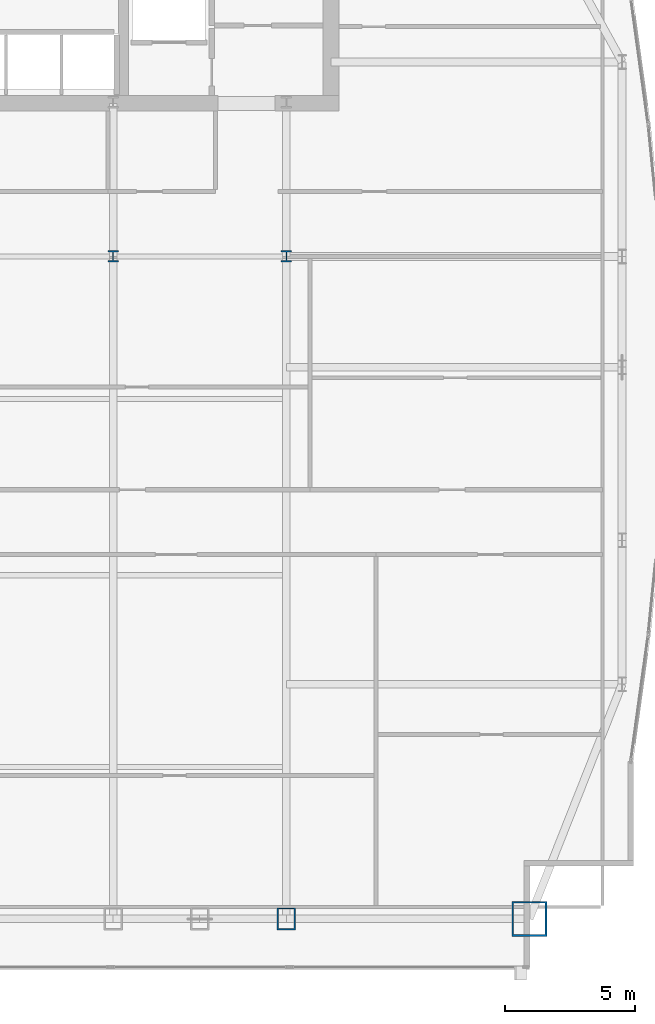
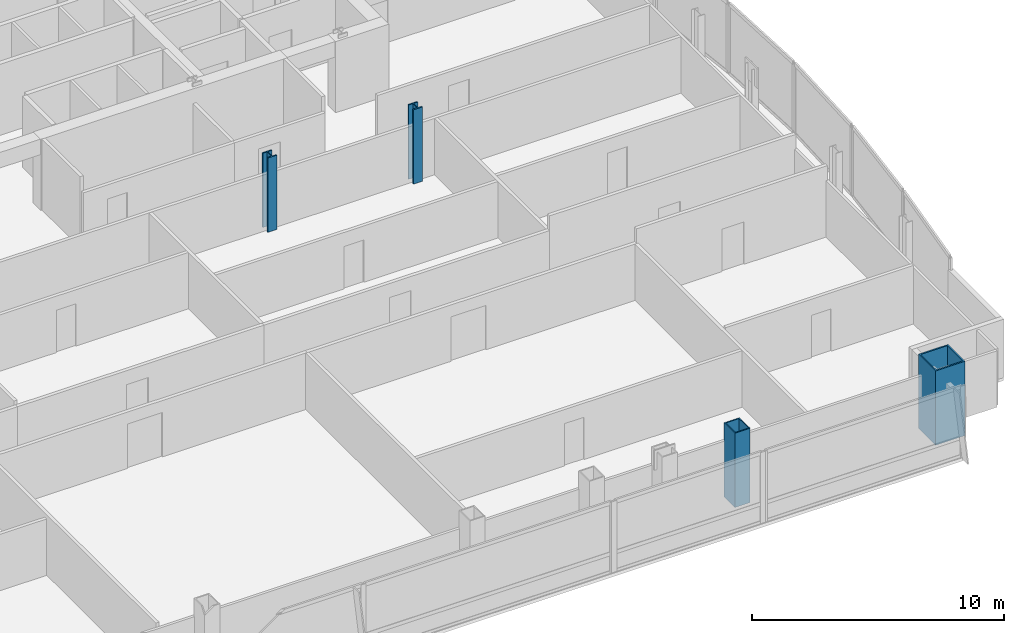
# One storey, part 2 of 29: 4 columns.
"""IFC4 building model written with IfcOpenShell, lengths in metres."""

from ifc_helpers import new_model, si_unit, direction, frame, origin, origin_2d, place, context, subcontext, project, spatial, hollow_rectangle, i_section, extrude, material, material_profile, profile_set, type_object, element, save


model = new_model("IFC4")

# Units and contexts
model_context = context("Model", 3, precision=1e-05, world=origin(), true_north=direction((0.0, 1.0)))
body_context = subcontext(model_context, "Body", "Model", "MODEL_VIEW")
ifc_project = project(units=[si_unit("LENGTHUNIT", "METRE"), si_unit("AREAUNIT", "SQUARE_METRE"), si_unit("VOLUMEUNIT", "CUBIC_METRE"), si_unit("PLANEANGLEUNIT", "RADIAN"), si_unit("MASSUNIT", "GRAM", prefix="KILO")], contexts=[model_context])

# Site, building, storey
site_placement = place(None, origin())
site = spatial("IfcSite", under=ifc_project, at=site_placement, CompositionType="ELEMENT")
building_placement = place(site_placement, origin())
building = spatial("IfcBuilding", under=site, at=building_placement, Name="Khoronbel Lancet Exchange", CompositionType="ELEMENT")
storey_placement = place(building_placement, frame((0.0, 0.0, 177.0)))
storey = spatial("IfcBuildingStorey", under=building, at=storey_placement, Name="L44", CompositionType="ELEMENT", Elevation=177.0)

# Columns
ifc_material = material(Name="Steel S460", Category="steel")
ifc_material_profile_1 = material_profile(ifc_material, hollow_rectangle(XDim=0.699951171875, YDim=0.85009765625, WallThickness=0.050048828125, at=origin_2d()), Name="BOX 850x700x50")
ifc_profile_set_1 = profile_set([ifc_material_profile_1], Name="Steel S460")
column_type_1 = type_object("IfcColumnType", Name="COL-EC2", PredefinedType="COLUMN", material=ifc_profile_set_1)
column_1_placement = place(storey_placement, frame((54.675048828125, 10.14990234375, 0.0), z_axis=(0.0, 0.0, 1.0), x_axis=(1.0, 0.0, 0.0)))
element("IfcColumn", 1, at=column_1_placement, inside=storey, type_object=column_type_1, Name="Structural column SC-E2 L44", PredefinedType="COLUMN", context=body_context, shape_type="SweptSolid", body=[
    extrude(hollow_rectangle(XDim=0.699951171875, YDim=0.85009765625, WallThickness=0.050048828125, at=origin_2d()), origin(), (0.0, 0.0, 1.0), 3.60009765625),
])
ifc_material_profile_2 = material_profile(ifc_material, i_section(OverallWidth=0.416015625, OverallDepth=0.446044921875, WebThickness=0.0390625, FlangeThickness=0.062744140625, at=origin_2d()), Name="HD 400x509")
ifc_profile_set_2 = profile_set([ifc_material_profile_2], Name="Steel S460")
column_type_2 = type_object("IfcColumnType", Name="COL-IC2", PredefinedType="COLUMN", material=ifc_profile_set_2)
for number, where, z_axis, x_axis, name in (
    (2, (48.0, 35.699951171875, 0.0), (0.0, 0.0, 1.0), (1.0, 0.0, 0.0), "Spine gravity column TC3 L44"),
    (3, (54.675048828125, 35.699951171875, 0.0), (0.0, 0.0, 1.0), (1.0, 0.0, 0.0), "Spine gravity column TC4 L44"),
):
    element("IfcColumn", number, at=place(storey_placement, frame(where, z_axis=z_axis, x_axis=x_axis)), inside=storey, type_object=column_type_2, Name=name, PredefinedType="COLUMN", context=body_context, shape_type="SweptSolid", body=[
        extrude(i_section(OverallWidth=0.416015625, OverallDepth=0.446044921875, WebThickness=0.0390625, FlangeThickness=0.062744140625, at=origin_2d()), origin(), (0.0, 0.0, 1.0), 3.60009765625),
    ])
ifc_material_profile_3 = material_profile(ifc_material, hollow_rectangle(XDim=1.35009765625, YDim=1.35009765625, WallThickness=0.06494140625, at=origin_2d()), Name="BOX 1350x1350x65")
ifc_profile_set_3 = profile_set([ifc_material_profile_3], Name="Steel S460")
column_type_3 = type_object("IfcColumnType", Name="COL-MC4", PredefinedType="COLUMN", material=ifc_profile_set_3)
column_2_placement = place(storey_placement, frame((64.050048828125, 10.14990234375, 0.0), z_axis=(0.0, 0.0, 1.0), x_axis=(1.0, 0.0, 0.0)))
element("IfcColumn", 4, at=column_2_placement, inside=storey, type_object=column_type_3, Name="Structural column MC-SE L44", PredefinedType="COLUMN", context=body_context, shape_type="SweptSolid", body=[
    extrude(hollow_rectangle(XDim=1.35009765625, YDim=1.35009765625, WallThickness=0.06494140625, at=origin_2d()), origin(), (0.0, 0.0, 1.0), 3.60009765625),
])

save(model, "model.ifc")
